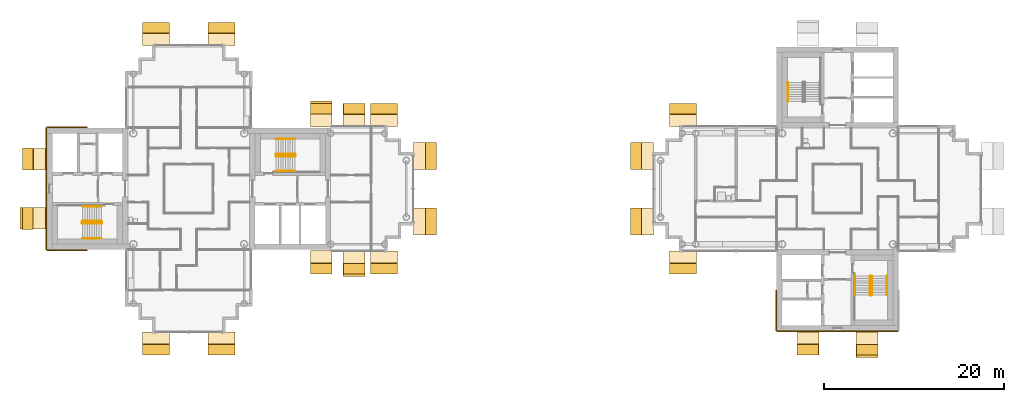
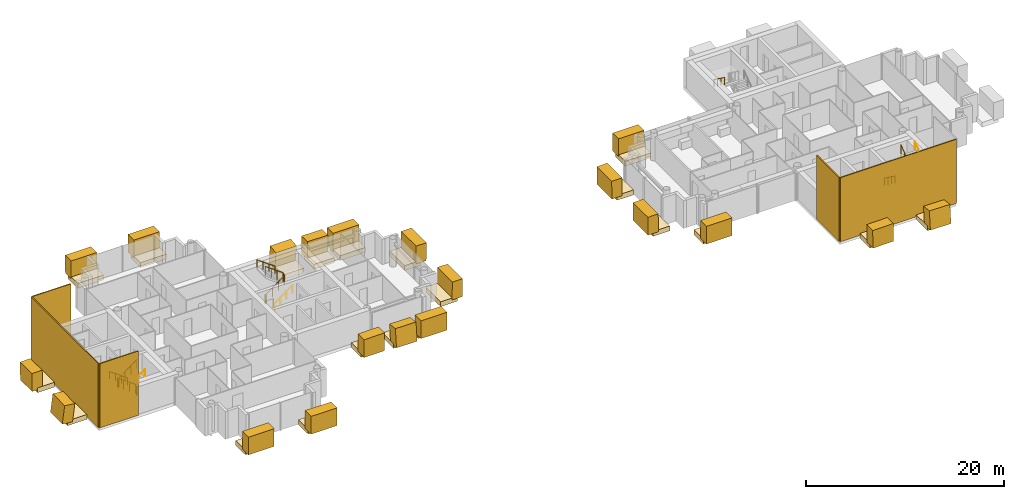
# One storey, part 16 of 18: 45 coverings, 10 railings.
"""IFC4 building model written with IfcOpenShell, lengths in metres."""

from ifc_helpers import new_model, si_unit, direction, frame, origin, origin_2d, place, context, subcontext, project, spatial, rectangle, circle, extrude, material, layer, layer_set, material_profile, profile_set, type_object, element, save


model = new_model("IFC4")

# Units and contexts
model_context = context("Model", 3, precision=1e-05, world=origin(), true_north=direction((0.0, 1.0)))
body_context = subcontext(model_context, "Body", "Model", "MODEL_VIEW")
ifc_project = project(units=[si_unit("LENGTHUNIT", "METRE"), si_unit("AREAUNIT", "SQUARE_METRE"), si_unit("VOLUMEUNIT", "CUBIC_METRE"), si_unit("PLANEANGLEUNIT", "RADIAN"), si_unit("MASSUNIT", "GRAM", prefix="KILO")], contexts=[model_context])

# Site, building, storey
site_placement = place(None, origin())
site = spatial("IfcSite", under=ifc_project, at=site_placement, CompositionType="ELEMENT")
building_placement = place(site_placement, origin())
building = spatial("IfcBuilding", under=site, at=building_placement, Name="Ipe Terrace Towers", CompositionType="ELEMENT")
storey_placement = place(building_placement, frame((0.0, 0.0, 230.0)))
storey = spatial("IfcBuildingStorey", under=building, at=storey_placement, Name="L64", CompositionType="ELEMENT", Elevation=230.0)

# Coverings
ifc_material_1 = material(Name="Concrete C50/60 precast, buff finish", Category="concrete")
ifc_layer = layer(ifc_material_1, 0.1201171875)
ifc_layer_set = layer_set([ifc_layer], Name="STONE CORE CLADDING 120")
covering_type_1 = type_object("IfcCoveringType", Name="STONE CORE CLADDING 120", PredefinedType="CLADDING", material=ifc_layer_set)
covering_1_placement = place(storey_placement, frame((-49.5, -6.81005859375, 0.0), z_axis=(0.0, 0.0, 1.0), x_axis=(1.0, 0.0, 0.0)))
element("IfcCovering", 1, at=covering_1_placement, inside=storey, type_object=covering_type_1, Name="stone core cladding", PredefinedType="CLADDING", context=body_context, shape_type="SweptSolid", body=[
    extrude(rectangle(XDim=4.5, YDim=0.1201171875, at=origin_2d()), origin(), (0.0, 0.0, 1.0), 7.89990234375),
])
covering_2_placement = place(storey_placement, frame((-51.81005859375, 0.0, 0.0), z_axis=(0.0, 0.0, 1.0), x_axis=(0.0, -1.0, 0.0)))
element("IfcCovering", 2, at=covering_2_placement, inside=storey, type_object=covering_type_1, Name="stone core cladding", PredefinedType="CLADDING", context=body_context, shape_type="SweptSolid", body=[
    extrude(rectangle(XDim=13.5, YDim=0.1201171875, at=origin_2d()), origin(), (0.0, 0.0, 1.0), 7.89990234375),
])
covering_3_placement = place(storey_placement, frame((-49.5, 6.81005859375, 0.0), z_axis=(0.0, 0.0, 1.0), x_axis=(-1.0, 0.0, 0.0)))
element("IfcCovering", 3, at=covering_3_placement, inside=storey, type_object=covering_type_1, Name="stone core cladding", PredefinedType="CLADDING", context=body_context, shape_type="SweptSolid", body=[
    extrude(rectangle(XDim=4.5, YDim=0.1201171875, at=origin_2d()), origin(), (0.0, 0.0, 1.0), 7.89990234375),
])
covering_4_placement = place(storey_placement, frame((36.0, -15.81005859375, 0.0), z_axis=(0.0, 0.0, 1.0), x_axis=(1.0, 0.0, 0.0)))
element("IfcCovering", 4, at=covering_4_placement, inside=storey, type_object=covering_type_1, Name="stone core cladding", PredefinedType="CLADDING", context=body_context, shape_type="SweptSolid", body=[
    extrude(rectangle(XDim=13.5, YDim=0.1201171875, at=origin_2d()), origin(), (0.0, 0.0, 1.0), 7.89990234375),
])
covering_5_placement = place(storey_placement, frame((29.18994140625, -13.5, 0.0), z_axis=(0.0, 0.0, 1.0), x_axis=(0.0, -1.0, 0.0)))
element("IfcCovering", 5, at=covering_5_placement, inside=storey, type_object=covering_type_1, Name="stone core cladding", PredefinedType="CLADDING", context=body_context, shape_type="SweptSolid", body=[
    extrude(rectangle(XDim=4.5, YDim=0.1201171875, at=origin_2d()), origin(), (0.0, 0.0, 1.0), 7.89990234375),
])
ifc_material_2 = material(Name="Concrete C50/60 precast, buff finish", Category="concrete")
ifc_material_profile_1 = material_profile(ifc_material_2, rectangle(XDim=2.39990234375, YDim=1.199951171875, at=origin_2d()), Name="STONE FIN 2400 x 1200")
ifc_profile_set_1 = profile_set([ifc_material_profile_1], Name="Concrete C50/60 precast, buff finish")
covering_type_2 = type_object("IfcCoveringType", Name="STONE FIN 2400 x 1200", PredefinedType="USERDEFINED", material=ifc_profile_set_1)
covering_6_placement = place(storey_placement, frame((-17.66796875, -9.131103515625, 0.0), z_axis=(0.008154728787, 0.117802771268, 0.993003528433), x_axis=(0.999966749646, -0.000960681592, -0.008097943719)))
element("IfcCovering", 6, at=covering_6_placement, inside=storey, type_object=covering_type_2, Name="stone fin", ObjectType="FIN", PredefinedType="USERDEFINED", context=body_context, shape_type="SweptSolid", body=[
    extrude(rectangle(XDim=2.39990234375, YDim=1.199951171875, at=origin_2d()), origin(), (0.0, 0.0, 1.0), 2.21533203125),
])
for number, where, z_axis, x_axis, name in (
    (7, (-17.66796875, 8.847900390625, 0.0), (0.00821148952, 0.010097912789, 0.999915298211), (-0.999966285152, 8.2921693e-05, 0.008211070828), "stone fin"),
    (8, (-21.281982421875, -8.847900390625, 0.0), (-0.00821148952, -0.010097912789, 0.999915298211), (0.999966285152, -8.2921693e-05, 0.008211070828), "stone fin"),
):
    element("IfcCovering", number, at=place(storey_placement, frame(where, z_axis=z_axis, x_axis=x_axis)), inside=storey, type_object=covering_type_2, Name=name, ObjectType="FIN", PredefinedType="USERDEFINED", context=body_context, shape_type="SweptSolid", body=[
        extrude(rectangle(XDim=2.39990234375, YDim=1.199951171875, at=origin_2d()), origin(), (0.0, 0.0, 1.0), 2.2001953125),
    ])
covering_7_placement = place(storey_placement, frame((-21.281982421875, 9.131103515625, 0.0), z_axis=(-0.008154728787, -0.117802771268, 0.993003528433), x_axis=(-0.999966749646, 0.000960681592, -0.008097943719)))
element("IfcCovering", 9, at=covering_7_placement, inside=storey, type_object=covering_type_2, Name="stone fin", ObjectType="FIN", PredefinedType="USERDEFINED", context=body_context, shape_type="SweptSolid", body=[
    extrude(rectangle(XDim=2.39990234375, YDim=1.199951171875, at=origin_2d()), origin(), (0.0, 0.0, 1.0), 2.21533203125),
])
covering_8_placement = place(storey_placement, frame((-54.131103515625, -3.26806640625, 0.0), z_axis=(0.117794414014, -0.0144350498, 0.992933082017), x_axis=(-0.001700545419, -0.999895809241, -0.014334532012)))
element("IfcCovering", 10, at=covering_8_placement, inside=storey, type_object=covering_type_2, Name="stone fin", ObjectType="FIN", PredefinedType="USERDEFINED", context=body_context, shape_type="SweptSolid", body=[
    extrude(rectangle(XDim=2.39990234375, YDim=1.199951171875, at=origin_2d()), origin(), (0.0, 0.0, 1.0), 2.215576171875),
])
for number, where, z_axis, x_axis, name in (
    (11, (-53.847900390625, 3.26806640625, 0.0), (-0.010097186408, 0.014535510104, 0.99984337062), (-0.000146783262, -0.999894353892, 0.014534768958), "stone fin"),
    (12, (32.73193359375, -17.847900390625, 0.0), (-0.014535510104, -0.010097186408, 0.99984337062), (0.999894353892, -0.000146783262, 0.014534768958), "stone fin"),
):
    element("IfcCovering", number, at=place(storey_placement, frame(where, z_axis=z_axis, x_axis=x_axis)), inside=storey, type_object=covering_type_2, Name=name, ObjectType="FIN", PredefinedType="USERDEFINED", context=body_context, shape_type="SweptSolid", body=[
        extrude(rectangle(XDim=2.39990234375, YDim=1.199951171875, at=origin_2d()), origin(), (0.0, 0.0, 1.0), 2.2001953125),
    ])
covering_9_placement = place(storey_placement, frame((39.26806640625, -18.131103515625, 0.0), z_axis=(0.0144350498, 0.117794414014, 0.992933082017), x_axis=(0.999895809241, -0.001700545419, -0.014334532012)))
element("IfcCovering", 13, at=covering_9_placement, inside=storey, type_object=covering_type_2, Name="stone fin", ObjectType="FIN", PredefinedType="USERDEFINED", context=body_context, shape_type="SweptSolid", body=[
    extrude(rectangle(XDim=2.39990234375, YDim=1.199951171875, at=origin_2d()), origin(), (0.0, 0.0, 1.0), 2.215576171875),
])
ifc_material_3 = material(Name="Concrete C50/60 precast, buff finish", Category="concrete")
ifc_material_profile_2 = material_profile(ifc_material_3, rectangle(XDim=3.0, YDim=1.199951171875, at=origin_2d()), Name="STONE FIN CORNER 3000 x 1200")
ifc_profile_set_2 = profile_set([ifc_material_profile_2], Name="Concrete C50/60 precast, buff finish")
covering_type_3 = type_object("IfcCoveringType", Name="STONE FIN CORNER 3000 x 1200", PredefinedType="USERDEFINED", material=ifc_profile_set_2)
for number, where, z_axis, x_axis, name in (
    (14, (-9.152099609375, -3.64990234375, 0.0), (0.01009825325, 0.0, 0.999949011341), (0.0, 1.0, 0.0), "stone fin"),
    (15, (-9.152099609375, 3.64990234375, 0.0), (0.01009825325, 0.0, 0.999949011341), (0.0, 1.0, 0.0), "stone fin"),
    (16, (-14.35009765625, -8.847900390625, 0.0), (0.0, -0.01009825325, 0.999949011341), (1.0, 0.0, 0.0), "stone fin"),
    (17, (-14.35009765625, 8.847900390625, 0.0), (0.0, 0.01009825325, 0.999949011341), (-1.0, 0.0, 0.0), "stone fin"),
    (18, (-32.35009765625, -17.847900390625, 0.0), (0.0, -0.01009825325, 0.999949011341), (1.0, 0.0, 0.0), "stone fin"),
    (19, (-32.35009765625, 17.847900390625, 0.0), (0.0, 0.01009825325, 0.999949011341), (-1.0, 0.0, 0.0), "stone fin"),
    (20, (-39.64990234375, -17.847900390625, 0.0), (0.0, -0.01009825325, 0.999949011341), (1.0, 0.0, 0.0), "stone fin"),
    (21, (-39.64990234375, 17.847900390625, 0.0), (0.0, 0.01009825325, 0.999949011341), (-1.0, 0.0, 0.0), "stone fin"),
    (22, (13.652099609375, -3.64990234375, 0.0), (-0.01009825325, 0.0, 0.999949011341), (0.0, -1.0, 0.0), "stone fin"),
    (23, (13.652099609375, 3.64990234375, 0.0), (-0.01009825325, 0.0, 0.999949011341), (0.0, -1.0, 0.0), "stone fin"),
    (24, (18.85009765625, -8.847900390625, 0.0), (0.0, -0.01009825325, 0.999949011341), (1.0, 0.0, 0.0), "stone fin"),
    (25, (18.85009765625, 8.847900390625, 0.0), (0.0, 0.01009825325, 0.999949011341), (-1.0, 0.0, 0.0), "stone fin"),
):
    element("IfcCovering", number, at=place(storey_placement, frame(where, z_axis=z_axis, x_axis=x_axis)), inside=storey, type_object=covering_type_3, Name=name, ObjectType="FIN", PredefinedType="USERDEFINED", context=body_context, shape_type="SweptSolid", body=[
        extrude(rectangle(XDim=3.0, YDim=1.199951171875, at=origin_2d()), origin(), (0.0, 0.0, 1.0), 2.199951171875),
    ])
ifc_material_4 = material(Name="Concrete C50/60 precast, buff finish", Category="concrete")
covering_type_4 = type_object("IfcCoveringType", Name="STONE FIN SHELF 2400 x 600", PredefinedType="CLADDING", material=ifc_material_4)
covering_10_placement = place(storey_placement, frame((-17.66796875, -8.02392578125, -0.35009765625), z_axis=(0.0, 0.0, 1.0), x_axis=(1.0, 0.0, 0.0)))
element("IfcCovering", 26, at=covering_10_placement, inside=storey, type_object=covering_type_4, Name="stone fin shelf", PredefinedType="CLADDING", context=body_context, shape_type="SweptSolid", body=[
    extrude(rectangle(XDim=2.39990234375, YDim=2.215087890625, at=origin_2d()), origin(), (0.0, 0.0, 1.0), 0.60009765625),
])
covering_11_placement = place(storey_placement, frame((-17.66796875, 7.882080078125, -0.35009765625), z_axis=(0.0, 0.0, 1.0), x_axis=(-1.0, 0.0, 0.0)))
element("IfcCovering", 27, at=covering_11_placement, inside=storey, type_object=covering_type_4, Name="stone fin shelf", PredefinedType="CLADDING", context=body_context, shape_type="SweptSolid", body=[
    extrude(rectangle(XDim=2.39990234375, YDim=1.931884765625, at=origin_2d()), origin(), (0.0, 0.0, 1.0), 0.60009765625),
])
covering_12_placement = place(storey_placement, frame((-21.281982421875, -7.85400390625, -0.35009765625), z_axis=(0.0, 0.0, 1.0), x_axis=(1.0, 0.0, 0.0)))
element("IfcCovering", 28, at=covering_12_placement, inside=storey, type_object=covering_type_4, Name="stone fin shelf", PredefinedType="CLADDING", context=body_context, shape_type="SweptSolid", body=[
    extrude(rectangle(XDim=2.39990234375, YDim=1.988037109375, at=origin_2d()), origin(), (0.0, 0.0, 1.0), 0.60009765625),
])
for number, where, z_axis, x_axis, name in (
    (29, (-21.281982421875, 7.9951171875, -0.35009765625), (0.0, 0.0, 1.0), (-1.0, 0.0, 0.0), "stone fin shelf"),
    (30, (-52.9951171875, -3.26806640625, -0.35009765625), (0.0, 0.0, 1.0), (0.0, -1.0, 0.0), "stone fin shelf"),
):
    element("IfcCovering", number, at=place(storey_placement, frame(where, z_axis=z_axis, x_axis=x_axis)), inside=storey, type_object=covering_type_4, Name=name, PredefinedType="CLADDING", context=body_context, shape_type="SweptSolid", body=[
        extrude(rectangle(XDim=2.39990234375, YDim=2.27099609375, at=origin_2d()), origin(), (0.0, 0.0, 1.0), 0.60009765625),
    ])
for number, where, z_axis, x_axis, name in (
    (31, (-52.85400390625, 3.26806640625, -0.35009765625), (0.0, 0.0, 1.0), (0.0, -1.0, 0.0), "stone fin shelf"),
    (32, (32.73193359375, -16.85400390625, -0.35009765625), (0.0, 0.0, 1.0), (1.0, 0.0, 0.0), "stone fin shelf"),
):
    element("IfcCovering", number, at=place(storey_placement, frame(where, z_axis=z_axis, x_axis=x_axis)), inside=storey, type_object=covering_type_4, Name=name, PredefinedType="CLADDING", context=body_context, shape_type="SweptSolid", body=[
        extrude(rectangle(XDim=2.39990234375, YDim=1.988037109375, at=origin_2d()), origin(), (0.0, 0.0, 1.0), 0.60009765625),
    ])
covering_13_placement = place(storey_placement, frame((39.26806640625, -16.9951171875, -0.35009765625), z_axis=(0.0, 0.0, 1.0), x_axis=(1.0, 0.0, 0.0)))
element("IfcCovering", 33, at=covering_13_placement, inside=storey, type_object=covering_type_4, Name="stone fin shelf", PredefinedType="CLADDING", context=body_context, shape_type="SweptSolid", body=[
    extrude(rectangle(XDim=2.39990234375, YDim=2.27099609375, at=origin_2d()), origin(), (0.0, 0.0, 1.0), 0.60009765625),
])
ifc_material_5 = material(Name="Concrete C50/60 precast, buff finish", Category="concrete")
covering_type_5 = type_object("IfcCoveringType", Name="STONE FIN SHELF 3000 x 600", PredefinedType="CLADDING", material=ifc_material_5)
for number, where, z_axis, x_axis, name in (
    (34, (-10.117919921875, -3.64990234375, -0.35009765625), (0.0, 0.0, 1.0), (0.0, 1.0, 0.0), "stone fin shelf"),
    (35, (-10.117919921875, 3.64990234375, -0.35009765625), (0.0, 0.0, 1.0), (0.0, 1.0, 0.0), "stone fin shelf"),
    (36, (-14.35009765625, -7.882080078125, -0.35009765625), (0.0, 0.0, 1.0), (1.0, 0.0, 0.0), "stone fin shelf"),
    (37, (-14.35009765625, 7.882080078125, -0.35009765625), (0.0, 0.0, 1.0), (-1.0, 0.0, 0.0), "stone fin shelf"),
    (38, (-32.35009765625, -16.882080078125, -0.35009765625), (0.0, 0.0, 1.0), (1.0, 0.0, 0.0), "stone fin shelf"),
    (39, (-32.35009765625, 16.882080078125, -0.35009765625), (0.0, 0.0, 1.0), (-1.0, 0.0, 0.0), "stone fin shelf"),
    (40, (-39.64990234375, -16.882080078125, -0.35009765625), (0.0, 0.0, 1.0), (1.0, 0.0, 0.0), "stone fin shelf"),
    (41, (-39.64990234375, 16.882080078125, -0.35009765625), (0.0, 0.0, 1.0), (-1.0, 0.0, 0.0), "stone fin shelf"),
    (42, (14.617919921875, -3.64990234375, -0.35009765625), (0.0, 0.0, 1.0), (0.0, -1.0, 0.0), "stone fin shelf"),
    (43, (14.617919921875, 3.64990234375, -0.35009765625), (0.0, 0.0, 1.0), (0.0, -1.0, 0.0), "stone fin shelf"),
    (44, (18.85009765625, -7.882080078125, -0.35009765625), (0.0, 0.0, 1.0), (1.0, 0.0, 0.0), "stone fin shelf"),
    (45, (18.85009765625, 7.882080078125, -0.35009765625), (0.0, 0.0, 1.0), (-1.0, 0.0, 0.0), "stone fin shelf"),
):
    element("IfcCovering", number, at=place(storey_placement, frame(where, z_axis=z_axis, x_axis=x_axis)), inside=storey, type_object=covering_type_5, Name=name, PredefinedType="CLADDING", context=body_context, shape_type="SweptSolid", body=[
        extrude(rectangle(XDim=3.0, YDim=1.931884765625, at=origin_2d()), origin(), (0.0, 0.0, 1.0), 0.60009765625),
    ])

# Railings
ifc_material_6 = material(Name="Steel S355", Category="steel")
railing_type_1 = type_object("IfcRailingType", Name="Stair guard 1100", PredefinedType="GUARDRAIL", material=ifc_material_6)
railing_1_placement = place(storey_placement, frame((-26.35009765625, 3.800048828125, 0.0)))
element("IfcRailing", 46, at=railing_1_placement, inside=storey, type_object=railing_type_1, Name="L64 T1-ST1 stair guard 1", PredefinedType="GUARDRAIL", context=body_context, shape_type="SweptSolid", body=[
    extrude(circle(Radius=0.02392578125, at=origin_2d()), frame((0.0, 0.0, 1.076171875), z_axis=(0.0, -1.0, 0.0), x_axis=(1.0, 0.0, 0.0)), (0.0, 0.0, 1.0), 0.150146484375),
    extrude(circle(Radius=0.02392578125, at=origin_2d()), frame((0.0, -0.150146484375, 1.076171875), z_axis=(0.248103849378, -0.246893586699, 0.936743314239), x_axis=(0.705375805398, 0.708833529934, 0.0)), (0.0, 0.0, 1.0), 0.20166015625),
    extrude(circle(Radius=0.02392578125, at=origin_2d()), frame((0.050048828125, -0.199951171875, 1.26513671875), z_axis=(0.809068575486, 0.0, 0.587714250432), x_axis=(0.0, 1.0, 0.0)), (0.0, 0.0, 1.0), 2.571044921875),
    extrude(circle(Radius=0.02392578125, at=origin_2d()), frame((2.130126953125, -0.199951171875, 2.77587890625), z_axis=(0.708833529934, 0.705375805398, 0.0), x_axis=(-0.705375805398, 0.708833529934, 0.0)), (0.0, 0.0, 1.0), 0.070556640625),
    extrude(circle(Radius=0.02392578125, at=origin_2d()), frame((2.18017578125, -0.150146484375, 2.77587890625), z_axis=(0.0, 1.0, 0.0), x_axis=(-1.0, 0.0, 0.0)), (0.0, 0.0, 1.0), 0.150146484375),
    extrude(circle(Radius=0.02392578125, at=origin_2d()), frame((2.18017578125, 0.0, 2.77587890625), z_axis=(-0.248029566107, 0.248029566107, 0.936462849596), x_axis=(-0.707106781187, -0.707106781187, 0.0)), (0.0, 0.0, 1.0), 0.201904296875),
    extrude(circle(Radius=0.02392578125, at=origin_2d()), frame((2.130126953125, 0.050048828125, 2.96484375), z_axis=(-0.809068575486, 0.0, 0.587714250432), x_axis=(0.0, -1.0, 0.0)), (0.0, 0.0, 1.0), 2.571044921875),
    extrude(circle(Radius=0.02099609375, at=origin_2d()), origin(), (0.0, 0.0, 1.0), 1.052001953125),
    extrude(circle(Radius=0.02099609375, at=origin_2d()), frame((0.0, -0.150146484375, 0.0)), (0.0, 0.0, 1.0), 1.052001953125),
    extrude(circle(Radius=0.02099609375, at=origin_2d()), frame((0.050048828125, -0.199951171875, 0.18896484375)), (0.0, 0.0, 1.0), 1.052001953125),
    extrude(circle(Radius=0.02099609375, at=origin_2d()), frame((0.743408203125, -0.199951171875, 0.692626953125)), (0.0, 0.0, 1.0), 1.052001953125),
    extrude(circle(Radius=0.02099609375, at=origin_2d()), frame((1.436767578125, -0.199951171875, 1.1962890625)), (0.0, 0.0, 1.0), 1.052001953125),
    extrude(circle(Radius=0.02099609375, at=origin_2d()), frame((2.130126953125, -0.199951171875, 1.699951171875)), (0.0, 0.0, 1.0), 1.052001953125),
    extrude(circle(Radius=0.02099609375, at=origin_2d()), frame((2.18017578125, -0.150146484375, 1.699951171875)), (0.0, 0.0, 1.0), 1.052001953125),
    extrude(circle(Radius=0.02099609375, at=origin_2d()), frame((2.18017578125, 0.0, 1.699951171875)), (0.0, 0.0, 1.0), 1.052001953125),
    extrude(circle(Radius=0.02099609375, at=origin_2d()), frame((2.130126953125, 0.050048828125, 1.888916015625)), (0.0, 0.0, 1.0), 1.052001953125),
    extrude(circle(Radius=0.02099609375, at=origin_2d()), frame((1.436767578125, 0.050048828125, 2.392578125)), (0.0, 0.0, 1.0), 1.052001953125),
    extrude(circle(Radius=0.02099609375, at=origin_2d()), frame((0.743408203125, 0.050048828125, 2.896240234375)), (0.0, 0.0, 1.0), 1.052001953125),
    extrude(circle(Radius=0.02099609375, at=origin_2d()), frame((0.050048828125, 0.050048828125, 3.39990234375)), (0.0, 0.0, 1.0), 1.052001953125),
])
railing_2_placement = place(storey_placement, frame((-45.64990234375, -3.800048828125, 0.0)))
element("IfcRailing", 47, at=railing_2_placement, inside=storey, type_object=railing_type_1, Name="L64 T1-ST2 stair guard 1", PredefinedType="GUARDRAIL", context=body_context, shape_type="SweptSolid", body=[
    extrude(circle(Radius=0.02392578125, at=origin_2d()), frame((0.0, 0.0, 1.076171875), z_axis=(0.0, 1.0, 0.0), x_axis=(-1.0, 0.0, 0.0)), (0.0, 0.0, 1.0), 0.150146484375),
    extrude(circle(Radius=0.02392578125, at=origin_2d()), frame((0.0, 0.150146484375, 1.076171875), z_axis=(-0.248103849378, 0.246893586699, 0.936743314239), x_axis=(-0.705375805398, -0.708833529934, 0.0)), (0.0, 0.0, 1.0), 0.20166015625),
    extrude(circle(Radius=0.02392578125, at=origin_2d()), frame((-0.050048828125, 0.199951171875, 1.26513671875), z_axis=(-0.809068575486, 0.0, 0.587714250432), x_axis=(0.0, -1.0, 0.0)), (0.0, 0.0, 1.0), 2.571044921875),
    extrude(circle(Radius=0.02392578125, at=origin_2d()), frame((-2.130126953125, 0.199951171875, 2.77587890625), z_axis=(-0.708833529934, -0.705375805398, 0.0), x_axis=(0.705375805398, -0.708833529934, 0.0)), (0.0, 0.0, 1.0), 0.070556640625),
    extrude(circle(Radius=0.02392578125, at=origin_2d()), frame((-2.18017578125, 0.150146484375, 2.77587890625), z_axis=(0.0, -1.0, 0.0), x_axis=(1.0, 0.0, 0.0)), (0.0, 0.0, 1.0), 0.150146484375),
    extrude(circle(Radius=0.02392578125, at=origin_2d()), frame((-2.18017578125, 0.0, 2.77587890625), z_axis=(0.248029566107, -0.248029566107, 0.936462849596), x_axis=(0.707106781187, 0.707106781187, 0.0)), (0.0, 0.0, 1.0), 0.201904296875),
    extrude(circle(Radius=0.02392578125, at=origin_2d()), frame((-2.130126953125, -0.050048828125, 2.96484375), z_axis=(0.809068575486, 0.0, 0.587714250432), x_axis=(0.0, 1.0, 0.0)), (0.0, 0.0, 1.0), 2.571044921875),
    extrude(circle(Radius=0.02099609375, at=origin_2d()), origin(), (0.0, 0.0, 1.0), 1.052001953125),
    extrude(circle(Radius=0.02099609375, at=origin_2d()), frame((0.0, 0.150146484375, 0.0)), (0.0, 0.0, 1.0), 1.052001953125),
    extrude(circle(Radius=0.02099609375, at=origin_2d()), frame((-0.050048828125, 0.199951171875, 0.18896484375)), (0.0, 0.0, 1.0), 1.052001953125),
    extrude(circle(Radius=0.02099609375, at=origin_2d()), frame((-0.743408203125, 0.199951171875, 0.692626953125)), (0.0, 0.0, 1.0), 1.052001953125),
    extrude(circle(Radius=0.02099609375, at=origin_2d()), frame((-1.436767578125, 0.199951171875, 1.1962890625)), (0.0, 0.0, 1.0), 1.052001953125),
    extrude(circle(Radius=0.02099609375, at=origin_2d()), frame((-2.130126953125, 0.199951171875, 1.699951171875)), (0.0, 0.0, 1.0), 1.052001953125),
    extrude(circle(Radius=0.02099609375, at=origin_2d()), frame((-2.18017578125, 0.150146484375, 1.699951171875)), (0.0, 0.0, 1.0), 1.052001953125),
    extrude(circle(Radius=0.02099609375, at=origin_2d()), frame((-2.18017578125, 0.0, 1.699951171875)), (0.0, 0.0, 1.0), 1.052001953125),
    extrude(circle(Radius=0.02099609375, at=origin_2d()), frame((-2.130126953125, -0.050048828125, 1.888916015625)), (0.0, 0.0, 1.0), 1.052001953125),
    extrude(circle(Radius=0.02099609375, at=origin_2d()), frame((-1.436767578125, -0.050048828125, 2.392578125)), (0.0, 0.0, 1.0), 1.052001953125),
    extrude(circle(Radius=0.02099609375, at=origin_2d()), frame((-0.743408203125, -0.050048828125, 2.896240234375)), (0.0, 0.0, 1.0), 1.052001953125),
    extrude(circle(Radius=0.02099609375, at=origin_2d()), frame((-0.050048828125, -0.050048828125, 3.39990234375)), (0.0, 0.0, 1.0), 1.052001953125),
])
railing_3_placement = place(storey_placement, frame((39.800048828125, -9.64990234375, 0.0)))
element("IfcRailing", 48, at=railing_3_placement, inside=storey, type_object=railing_type_1, Name="L64 T2-ST2 stair guard 1", PredefinedType="GUARDRAIL", context=body_context, shape_type="SweptSolid", body=[
    extrude(circle(Radius=0.02392578125, at=origin_2d()), frame((0.0, 0.0, 1.076171875), z_axis=(-1.0, 0.0, 0.0), x_axis=(0.0, -1.0, 0.0)), (0.0, 0.0, 1.0), 0.150146484375),
    extrude(circle(Radius=0.02392578125, at=origin_2d()), frame((-0.150146484375, 0.0, 1.076171875), z_axis=(-0.246893586699, -0.248103849378, 0.936743314239), x_axis=(0.708833529934, -0.705375805398, 0.0)), (0.0, 0.0, 1.0), 0.20166015625),
    extrude(circle(Radius=0.02392578125, at=origin_2d()), frame((-0.199951171875, -0.050048828125, 1.26513671875), z_axis=(0.0, -0.809068575486, 0.587714250432), x_axis=(1.0, 0.0, 0.0)), (0.0, 0.0, 1.0), 2.571044921875),
    extrude(circle(Radius=0.02392578125, at=origin_2d()), frame((-0.199951171875, -2.130126953125, 2.77587890625), z_axis=(0.705375805398, -0.708833529934, 0.0), x_axis=(0.708833529934, 0.705375805398, 0.0)), (0.0, 0.0, 1.0), 0.070556640625),
    extrude(circle(Radius=0.02392578125, at=origin_2d()), frame((-0.150146484375, -2.18017578125, 2.77587890625), z_axis=(1.0, 0.0, 0.0), x_axis=(0.0, 1.0, 0.0)), (0.0, 0.0, 1.0), 0.150146484375),
    extrude(circle(Radius=0.02392578125, at=origin_2d()), frame((0.0, -2.18017578125, 2.77587890625), z_axis=(0.248029566107, 0.248029566107, 0.936462849596), x_axis=(-0.707106781187, 0.707106781187, 0.0)), (0.0, 0.0, 1.0), 0.201904296875),
    extrude(circle(Radius=0.02392578125, at=origin_2d()), frame((0.050048828125, -2.130126953125, 2.96484375), z_axis=(0.0, 0.809068575486, 0.587714250432), x_axis=(-1.0, 0.0, 0.0)), (0.0, 0.0, 1.0), 2.571044921875),
    extrude(circle(Radius=0.02099609375, at=origin_2d()), origin(), (0.0, 0.0, 1.0), 1.052001953125),
    extrude(circle(Radius=0.02099609375, at=origin_2d()), frame((-0.150146484375, 0.0, 0.0)), (0.0, 0.0, 1.0), 1.052001953125),
    extrude(circle(Radius=0.02099609375, at=origin_2d()), frame((-0.199951171875, -0.050048828125, 0.18896484375)), (0.0, 0.0, 1.0), 1.052001953125),
    extrude(circle(Radius=0.02099609375, at=origin_2d()), frame((-0.199951171875, -0.743408203125, 0.692626953125)), (0.0, 0.0, 1.0), 1.052001953125),
    extrude(circle(Radius=0.02099609375, at=origin_2d()), frame((-0.199951171875, -1.436767578125, 1.1962890625)), (0.0, 0.0, 1.0), 1.052001953125),
    extrude(circle(Radius=0.02099609375, at=origin_2d()), frame((-0.199951171875, -2.130126953125, 1.699951171875)), (0.0, 0.0, 1.0), 1.052001953125),
    extrude(circle(Radius=0.02099609375, at=origin_2d()), frame((-0.150146484375, -2.18017578125, 1.699951171875)), (0.0, 0.0, 1.0), 1.052001953125),
    extrude(circle(Radius=0.02099609375, at=origin_2d()), frame((0.0, -2.18017578125, 1.699951171875)), (0.0, 0.0, 1.0), 1.052001953125),
    extrude(circle(Radius=0.02099609375, at=origin_2d()), frame((0.050048828125, -2.130126953125, 1.888916015625)), (0.0, 0.0, 1.0), 1.052001953125),
    extrude(circle(Radius=0.02099609375, at=origin_2d()), frame((0.050048828125, -1.436767578125, 2.392578125)), (0.0, 0.0, 1.0), 1.052001953125),
    extrude(circle(Radius=0.02099609375, at=origin_2d()), frame((0.050048828125, -0.743408203125, 2.896240234375)), (0.0, 0.0, 1.0), 1.052001953125),
    extrude(circle(Radius=0.02099609375, at=origin_2d()), frame((0.050048828125, -0.050048828125, 3.39990234375)), (0.0, 0.0, 1.0), 1.052001953125),
])
ifc_material_7 = material(Name="Stainless steel grade 304", Category="steel")
railing_type_2 = type_object("IfcRailingType", Name="Stair handrail 900", PredefinedType="HANDRAIL", material=ifc_material_7)
railing_4_placement = place(storey_placement, frame((-26.300048828125, 1.949951171875, 0.18896484375)))
element("IfcRailing", 49, at=railing_4_placement, inside=storey, type_object=railing_type_2, Name="L64 T1-ST1 stair handrail 1", PredefinedType="HANDRAIL", context=body_context, shape_type="SweptSolid", body=[
    extrude(circle(Radius=0.02392578125, at=origin_2d()), frame((0.0, 0.0, 0.8759765625), z_axis=(0.809068575486, 0.0, 0.587714250432), x_axis=(0.0, 1.0, 0.0)), (0.0, 0.0, 1.0), 2.571044921875),
    extrude(circle(Radius=0.02099609375, at=origin_2d()), origin(), (0.0, 0.0, 1.0), 0.851806640625),
    extrude(circle(Radius=0.02099609375, at=origin_2d()), frame((0.693359375, 0.0, 0.503662109375)), (0.0, 0.0, 1.0), 0.851806640625),
    extrude(circle(Radius=0.02099609375, at=origin_2d()), frame((1.38671875, 0.0, 1.00732421875)), (0.0, 0.0, 1.0), 0.851806640625),
    extrude(circle(Radius=0.02099609375, at=origin_2d()), frame((2.080078125, 0.0, 1.510986328125)), (0.0, 0.0, 1.0), 0.851806640625),
])
for number, where, name in (
    (50, (-24.219970703125, 5.5, 1.888916015625), "L64 T1-ST1 stair handrail 2"),
    (51, (-45.699951171875, -1.949951171875, 0.18896484375), "L64 T1-ST2 stair handrail 1"),
):
    element("IfcRailing", number, at=place(storey_placement, frame(where)), inside=storey, type_object=railing_type_2, Name=name, PredefinedType="HANDRAIL", context=body_context, shape_type="SweptSolid", body=[
        extrude(circle(Radius=0.02392578125, at=origin_2d()), frame((0.0, 0.0, 0.8759765625), z_axis=(-0.809068575486, 0.0, 0.587714250432), x_axis=(0.0, -1.0, 0.0)), (0.0, 0.0, 1.0), 2.571044921875),
        extrude(circle(Radius=0.02099609375, at=origin_2d()), origin(), (0.0, 0.0, 1.0), 0.851806640625),
        extrude(circle(Radius=0.02099609375, at=origin_2d()), frame((-0.693359375, 0.0, 0.503662109375)), (0.0, 0.0, 1.0), 0.851806640625),
        extrude(circle(Radius=0.02099609375, at=origin_2d()), frame((-1.38671875, 0.0, 1.00732421875)), (0.0, 0.0, 1.0), 0.851806640625),
        extrude(circle(Radius=0.02099609375, at=origin_2d()), frame((-2.080078125, 0.0, 1.510986328125)), (0.0, 0.0, 1.0), 0.851806640625),
    ])
railing_5_placement = place(storey_placement, frame((-47.780029296875, -5.5, 1.888916015625)))
element("IfcRailing", 52, at=railing_5_placement, inside=storey, type_object=railing_type_2, Name="L64 T1-ST2 stair handrail 2", PredefinedType="HANDRAIL", context=body_context, shape_type="SweptSolid", body=[
    extrude(circle(Radius=0.02392578125, at=origin_2d()), frame((0.0, 0.0, 0.8759765625), z_axis=(0.809068575486, 0.0, 0.587714250432), x_axis=(0.0, 1.0, 0.0)), (0.0, 0.0, 1.0), 2.571044921875),
    extrude(circle(Radius=0.02099609375, at=origin_2d()), origin(), (0.0, 0.0, 1.0), 0.851806640625),
    extrude(circle(Radius=0.02099609375, at=origin_2d()), frame((0.693359375, 0.0, 0.503662109375)), (0.0, 0.0, 1.0), 0.851806640625),
    extrude(circle(Radius=0.02099609375, at=origin_2d()), frame((1.38671875, 0.0, 1.00732421875)), (0.0, 0.0, 1.0), 0.851806640625),
    extrude(circle(Radius=0.02099609375, at=origin_2d()), frame((2.080078125, 0.0, 1.510986328125)), (0.0, 0.0, 1.0), 0.851806640625),
])
for number, where, name in (
    (53, (30.5, 11.780029296875, 1.888916015625), "L64 T2-ST1 stair handrail 2"),
    (54, (37.949951171875, -9.699951171875, 0.18896484375), "L64 T2-ST2 stair handrail 1"),
):
    element("IfcRailing", number, at=place(storey_placement, frame(where)), inside=storey, type_object=railing_type_2, Name=name, PredefinedType="HANDRAIL", context=body_context, shape_type="SweptSolid", body=[
        extrude(circle(Radius=0.02392578125, at=origin_2d()), frame((0.0, 0.0, 0.8759765625), z_axis=(0.0, -0.809068575486, 0.587714250432), x_axis=(1.0, 0.0, 0.0)), (0.0, 0.0, 1.0), 2.571044921875),
        extrude(circle(Radius=0.02099609375, at=origin_2d()), origin(), (0.0, 0.0, 1.0), 0.851806640625),
        extrude(circle(Radius=0.02099609375, at=origin_2d()), frame((0.0, -0.693359375, 0.503662109375)), (0.0, 0.0, 1.0), 0.851806640625),
        extrude(circle(Radius=0.02099609375, at=origin_2d()), frame((0.0, -1.38671875, 1.00732421875)), (0.0, 0.0, 1.0), 0.851806640625),
        extrude(circle(Radius=0.02099609375, at=origin_2d()), frame((0.0, -2.080078125, 1.510986328125)), (0.0, 0.0, 1.0), 0.851806640625),
    ])
railing_6_placement = place(storey_placement, frame((41.5, -11.780029296875, 1.888916015625)))
element("IfcRailing", 55, at=railing_6_placement, inside=storey, type_object=railing_type_2, Name="L64 T2-ST2 stair handrail 2", PredefinedType="HANDRAIL", context=body_context, shape_type="SweptSolid", body=[
    extrude(circle(Radius=0.02392578125, at=origin_2d()), frame((0.0, 0.0, 0.8759765625), z_axis=(0.0, 0.809068575486, 0.587714250432), x_axis=(-1.0, 0.0, 0.0)), (0.0, 0.0, 1.0), 2.571044921875),
    extrude(circle(Radius=0.02099609375, at=origin_2d()), origin(), (0.0, 0.0, 1.0), 0.851806640625),
    extrude(circle(Radius=0.02099609375, at=origin_2d()), frame((0.0, 0.693359375, 0.503662109375)), (0.0, 0.0, 1.0), 0.851806640625),
    extrude(circle(Radius=0.02099609375, at=origin_2d()), frame((0.0, 1.38671875, 1.00732421875)), (0.0, 0.0, 1.0), 0.851806640625),
    extrude(circle(Radius=0.02099609375, at=origin_2d()), frame((0.0, 2.080078125, 1.510986328125)), (0.0, 0.0, 1.0), 0.851806640625),
])

save(model, "model.ifc")
